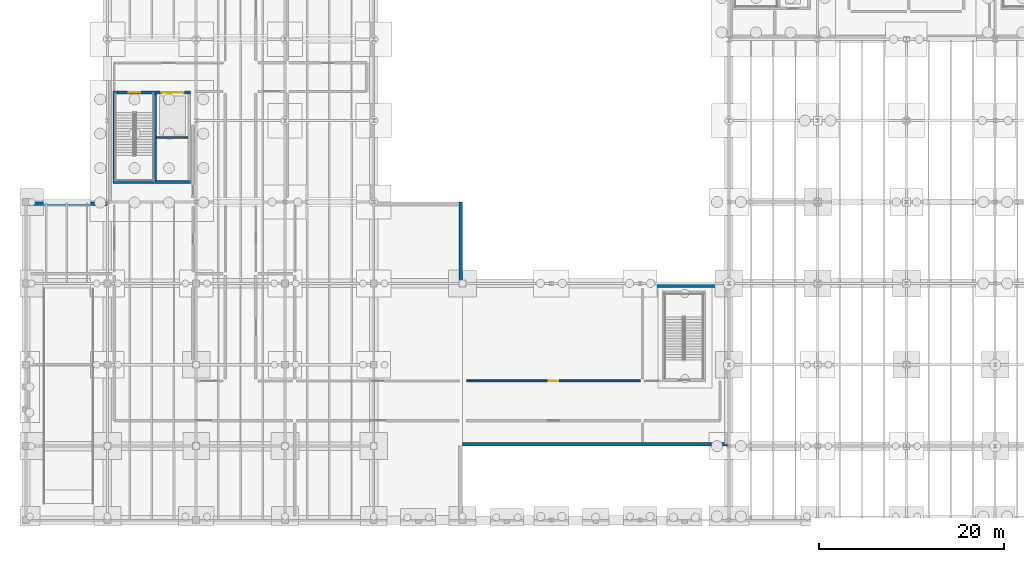
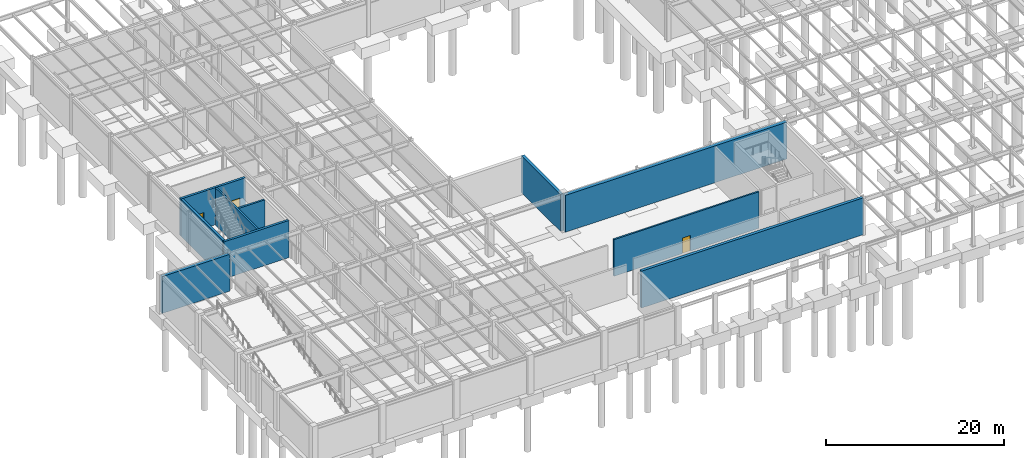
# One storey, part 30 of 48: 10 walls, 3 doors, 3 openings.
"""IFC4 building model written with IfcOpenShell, lengths in metres."""

from ifc_helpers import new_model, si_unit, direction, frame, frame_2d, origin, place, context, subcontext, project, spatial, rectangle, extrude, material, layer, layer_set, type_object, element, fill, save


model = new_model("IFC4")

# Units and contexts
model_context = context("Model", 3, precision=1e-05, world=origin(), true_north=direction((0.0, 1.0)))
body_context = subcontext(model_context, "Body", "Model", "MODEL_VIEW")
ifc_project = project(units=[si_unit("LENGTHUNIT", "METRE"), si_unit("AREAUNIT", "SQUARE_METRE"), si_unit("VOLUMEUNIT", "CUBIC_METRE"), si_unit("PLANEANGLEUNIT", "RADIAN"), si_unit("MASSUNIT", "GRAM", prefix="KILO")], contexts=[model_context])

# Site, building, storey
site_placement = place(None, origin())
site = spatial("IfcSite", under=ifc_project, at=site_placement, CompositionType="ELEMENT")
building_placement = place(site_placement, origin())
building = spatial("IfcBuilding", under=site, at=building_placement, Name="Sarnbrook Museum", CompositionType="ELEMENT")
storey_placement = place(building_placement, frame((0.0, 0.0, -5.39990234375)))
storey = spatial("IfcBuildingStorey", under=building, at=storey_placement, Name="B1", CompositionType="ELEMENT", Elevation=-5.39990234375)

# Wall
ifc_material_1 = material(Name="Concrete N50 (AS 3600, f'c = 50 MPa)", Category="concrete")
ifc_layer_1 = layer(ifc_material_1, 0.300048828125)
ifc_layer_set_1 = layer_set([ifc_layer_1], Name="Concrete N50 (AS 3600, f'c = 50 MPa)")
wall_type_1 = type_object("IfcWallType", Name="CoreWall_CWRC", PredefinedType="SHEAR", material=ifc_layer_set_1)
wall_1_placement = place(storey_placement, frame((14.199951171875, 41.35009765625, 0.0), z_axis=(0.0, 0.0, 1.0), x_axis=(1.0, 0.0, 0.0)))
element("IfcWall", 1, at=wall_1_placement, inside=storey, type_object=wall_type_1, Name="Core C5 Shear Wall S B1", PredefinedType="SHEAR", context=body_context, shape_type="SweptSolid", body=[
    extrude(rectangle(XDim=8.400146484375, YDim=0.300048828125, at=frame_2d((4.2001953125, 0.0))), origin(), (0.0, 0.0, 1.0), 5.094970703125),
])

# Wall, openings, doors
wall_2_placement = place(storey_placement, frame((22.60009765625, 51.050048828125, 0.0), z_axis=(0.0, 0.0, 1.0), x_axis=(-1.0, 0.0, 0.0)))
wall_2 = element("IfcWall", 2, at=wall_2_placement, inside=storey, type_object=wall_type_1, Name="Core C5 Shear Wall N B1", PredefinedType="SHEAR", context=body_context, shape_type="SweptSolid", body=[
    extrude(rectangle(XDim=8.400146484375, YDim=0.300048828125, at=frame_2d((4.2001953125, 0.0))), origin(), (0.0, 0.0, 1.0), 5.094970703125),
])
opening_1_placement = place(wall_2_placement, frame((5.43505859375, 0.0, 0.0)))
opening_1 = element("IfcOpeningElement", 3, at=opening_1_placement, cuts=wall_2, Name="Opening D-ST-ST5-B1", PredefinedType="OPENING", context=body_context, shape_type="SweptSolid", body=[
    extrude(rectangle(XDim=1.25, YDim=2.199951171875, at=frame_2d((0.625, 1.10009765625))), frame((0.0, 0.16015625, 0.0), z_axis=(0.0, -1.0, 0.0), x_axis=(1.0, 0.0, 0.0)), (0.0, 0.0, 1.0), 0.320068359375),
])
opening_2_placement = place(wall_2_placement, frame((0.75, 0.0, 0.0)))
opening_2 = element("IfcOpeningElement", 4, at=opening_2_placement, cuts=wall_2, Name="Opening LD-GL1-B1", PredefinedType="OPENING", context=body_context, shape_type="SweptSolid", body=[
    extrude(rectangle(XDim=2.39990234375, YDim=2.550048828125, at=frame_2d((1.199951171875, 1.27490234375))), frame((0.0, 0.16015625, 0.0), z_axis=(0.0, -1.0, 0.0), x_axis=(1.0, 0.0, 0.0)), (0.0, 0.0, 1.0), 0.320068359375),
])
ifc_material_2 = material(Name="Tasmanian Oak Acoustic Timber", Category="wood")
door_type_1 = type_object("IfcDoorType", Name="FireDoor_FD120", OperationType="NOTDEFINED", PredefinedType="DOOR", material=ifc_material_2)
door_1_placement = place(opening_1_placement, origin())
door_1 = element("IfcDoor", 5, at=door_1_placement, inside=storey, type_object=door_type_1, Name="Exit Stair ST5 Fire Door B1", OperationType="SINGLE_SWING_LEFT", OverallHeight=2.199951171875, OverallWidth=1.25, PredefinedType="DOOR", context=body_context, shape_type="SweptSolid", body=[
    extrude(rectangle(XDim=1.25, YDim=2.199951171875, at=frame_2d((0.625, 1.10009765625))), frame((0.0, 0.02490234375, 0.0), z_axis=(0.0, -1.0, 0.0), x_axis=(1.0, 0.0, 0.0)), (0.0, 0.0, 1.0), 0.050048828125),
])
fill(opening_1, door_1)
ifc_material_3 = material(Name="Brushed Stainless Steel Grade 316", Category="steel")
door_type_2 = type_object("IfcDoorType", Name="LiftDoor_Goods240", OperationType="DOUBLE_DOOR_SLIDING", PredefinedType="DOOR", material=ifc_material_3)
door_2_placement = place(opening_2_placement, origin())
door_2 = element("IfcDoor", 6, at=door_2_placement, inside=storey, type_object=door_type_2, Name="Lift Landing Sliding Door LD-GL1-B1", OperationType="DOUBLE_DOOR_SLIDING", OverallHeight=2.550048828125, OverallWidth=2.39990234375, PredefinedType="DOOR", context=body_context, shape_type="SweptSolid", body=[
    extrude(rectangle(XDim=2.39990234375, YDim=2.550048828125, at=frame_2d((1.199951171875, 1.27490234375))), frame((0.0, 0.02490234375, 0.0), z_axis=(0.0, -1.0, 0.0), x_axis=(1.0, 0.0, 0.0)), (0.0, 0.0, 1.0), 0.050048828125),
])
fill(opening_2, door_2)

# Wall
wall_3_placement = place(storey_placement, frame((14.35009765625, 50.889892578125, 0.0), z_axis=(0.0, 0.0, 1.0), x_axis=(0.0, -1.0, 0.0)))
element("IfcWall", 7, at=wall_3_placement, inside=storey, type_object=wall_type_1, Name="Core C5 Shear Wall W B1", PredefinedType="SHEAR", context=body_context, shape_type="SweptSolid", body=[
    extrude(rectangle(XDim=9.3798828125, YDim=0.300048828125, at=frame_2d((4.68994140625, 0.0))), origin(), (0.0, 0.0, 1.0), 5.094970703125),
])

# Wall, opening, door
ifc_material_4 = material(Name="Fire-Rated Acoustic Gypsum Plasterboard")
ifc_layer_2 = layer(ifc_material_4, 0.2099609375)
ifc_layer_set_2 = layer_set([ifc_layer_2], Name="Fire-Rated Acoustic Gypsum Plasterboard")
wall_type_2 = type_object("IfcWallType", Name="PartWall_P210", PredefinedType="PARTITIONING", material=ifc_layer_set_2)
wall_4_placement = place(storey_placement, frame((71.22998046875, 19.85009765625, 0.0), z_axis=(0.0, 0.0, 1.0), x_axis=(-1.0, 0.0, 0.0)))
wall_4 = element("IfcWall", 8, at=wall_4_placement, inside=storey, type_object=wall_type_2, Name="Interior Partition Wall B1-0063", PredefinedType="PARTITIONING", context=body_context, shape_type="SweptSolid", body=[
    extrude(rectangle(XDim=18.780029296875, YDim=0.2099609375, at=frame_2d((9.39013671875, 0.0))), origin(), (0.0, 0.0, 1.0), 5.02978515625),
])
opening_3_placement = place(wall_4_placement, frame((8.864990234375, 0.0, 0.0)))
opening_3 = element("IfcOpeningElement", 9, at=opening_3_placement, cuts=wall_4, Name="Opening D-B1-021", PredefinedType="OPENING", context=body_context, shape_type="SweptSolid", body=[
    extrude(rectangle(XDim=1.050048828125, YDim=2.14990234375, at=frame_2d((0.52490234375, 1.074951171875))), frame((0.0, 0.114990234375, 0.0), z_axis=(0.0, -1.0, 0.0), x_axis=(1.0, 0.0, 0.0)), (0.0, 0.0, 1.0), 0.22998046875),
])
door_type_3 = type_object("IfcDoorType", Name="FireDoor_FD60", OperationType="NOTDEFINED", PredefinedType="DOOR", material=ifc_material_2)
door_3_placement = place(opening_3_placement, frame((1.050048828125, 0.0, 0.0), z_axis=(0.0, 0.0, 1.0), x_axis=(-1.0, 0.0, 0.0)))
door_3 = element("IfcDoor", 10, at=door_3_placement, inside=storey, type_object=door_type_3, Name="Conservation Prep Workshop B1-17 Door D-B1-021", OperationType="SINGLE_SWING_RIGHT", OverallHeight=2.14990234375, OverallWidth=1.050048828125, PredefinedType="DOOR", context=body_context, shape_type="SweptSolid", body=[
    extrude(rectangle(XDim=1.050048828125, YDim=2.14990234375, at=frame_2d((0.52490234375, 1.074951171875))), frame((0.0, 0.02490234375, 0.0), z_axis=(0.0, -1.0, 0.0), x_axis=(1.0, 0.0, 0.0)), (0.0, 0.0, 1.0), 0.050048828125),
])
fill(opening_3, door_3)

# Walls
ifc_material_5 = material(Name="Concrete N40 (AS 3600, f'c = 40 MPa)", Category="concrete")
ifc_layer_3 = layer(ifc_material_5, 0.239990234375)
ifc_layer_set_3 = layer_set([ifc_layer_3], Name="Concrete N40 (AS 3600, f'c = 40 MPa)")
wall_type_3 = type_object("IfcWallType", Name="ShaftWall_SWRC", PredefinedType="SOLIDWALL", material=ifc_layer_set_3)
wall_5_placement = place(storey_placement, frame((18.77001953125, 41.510009765625, 0.0), z_axis=(0.0, 0.0, 1.0), x_axis=(0.0, 1.0, 0.0)))
element("IfcWall", 11, at=wall_5_placement, inside=storey, type_object=wall_type_3, Name="Stairwell ST5 Fire Shaft Wall B1", PredefinedType="SOLIDWALL", context=body_context, shape_type="SweptSolid", body=[
    extrude(rectangle(XDim=9.3798828125, YDim=0.239990234375, at=frame_2d((4.68994140625, 0.0))), origin(), (0.0, 0.0, 1.0), 5.094970703125),
])
wall_6_placement = place(storey_placement, frame((18.89990234375, 46.179931640625, 0.0), z_axis=(0.0, 0.0, 1.0), x_axis=(1.0, 0.0, 0.0)))
element("IfcWall", 12, at=wall_6_placement, inside=storey, type_object=wall_type_3, Name="Lift GL1 Shaft Rear Wall B1", PredefinedType="SOLIDWALL", context=body_context, shape_type="SweptSolid", body=[
    extrude(rectangle(XDim=3.39013671875, YDim=0.239990234375, at=frame_2d((1.695068359375, 0.0))), origin(), (0.0, 0.0, 1.0), 5.094970703125),
])
ifc_layer_4 = layer(ifc_material_5, 0.3798828125)
ifc_layer_set_4 = layer_set([ifc_layer_4], Name="Concrete N40 (AS 3600, f'c = 40 MPa)")
wall_type_4 = type_object("IfcWallType", Name="Wall_RetainingRC380", PredefinedType="USERDEFINED", material=ifc_layer_set_4)
for number, where, z_axis, x_axis, name in (
    (13, (51.81005859375, 30.39990234375, 0.0), (0.0, 0.0, 1.0), (0.0, 1.0, 0.0), "Basement Perimeter Retaining Wall RW-02"),
    (14, (13.60009765625, 39.010009765625, 0.0), (0.0, 0.0, 1.0), (-1.0, 0.0, 0.0), "Basement Perimeter Retaining Wall RW-22"),
):
    element("IfcWall", number, at=place(storey_placement, frame(where, z_axis=z_axis, x_axis=x_axis)), inside=storey, type_object=wall_type_4, Name=name, ObjectType="RETAININGWALL", PredefinedType="USERDEFINED", context=body_context, shape_type="SweptSolid", body=[
        extrude(rectangle(XDim=8.800048828125, YDim=0.3798828125, at=frame_2d((4.39990234375, 0.0))), origin(), (0.0, 0.0, 1.0), 5.059814453125),
    ])
wall_7_placement = place(storey_placement, frame((52.0, 12.989990234375, 0.0), z_axis=(0.0, 0.0, 1.0), x_axis=(1.0, 0.0, 0.0)))
element("IfcWall", 15, at=wall_7_placement, inside=storey, type_object=wall_type_4, Name="Basement Perimeter Retaining Wall RW-26", ObjectType="RETAININGWALL", PredefinedType="USERDEFINED", context=body_context, shape_type="SweptSolid", body=[
    extrude(rectangle(XDim=28.800048828125, YDim=0.3798828125, at=frame_2d((14.39990234375, 0.0))), origin(), (0.0, 0.0, 1.0), 5.059814453125),
])
ifc_layer_5 = layer(ifc_material_5, 0.449951171875)
ifc_layer_set_5 = layer_set([ifc_layer_5], Name="Concrete N40 (AS 3600, f'c = 40 MPa)")
wall_type_5 = type_object("IfcWallType", Name="Wall_RetainingRC450", PredefinedType="USERDEFINED", material=ifc_layer_set_5)
wall_8_placement = place(storey_placement, frame((80.800048828125, 30.175048828125, 0.0), z_axis=(0.0, 0.0, 1.0), x_axis=(-1.0, 0.0, 0.0)))
element("IfcWall", 16, at=wall_8_placement, inside=storey, type_object=wall_type_5, Name="Basement Perimeter Retaining Wall RW-01", ObjectType="RETAININGWALL", PredefinedType="USERDEFINED", context=body_context, shape_type="SweptSolid", body=[
    extrude(rectangle(XDim=28.800048828125, YDim=0.449951171875, at=frame_2d((14.39990234375, 0.0))), origin(), (0.0, 0.0, 1.0), 5.059814453125),
])

save(model, "model.ifc")
